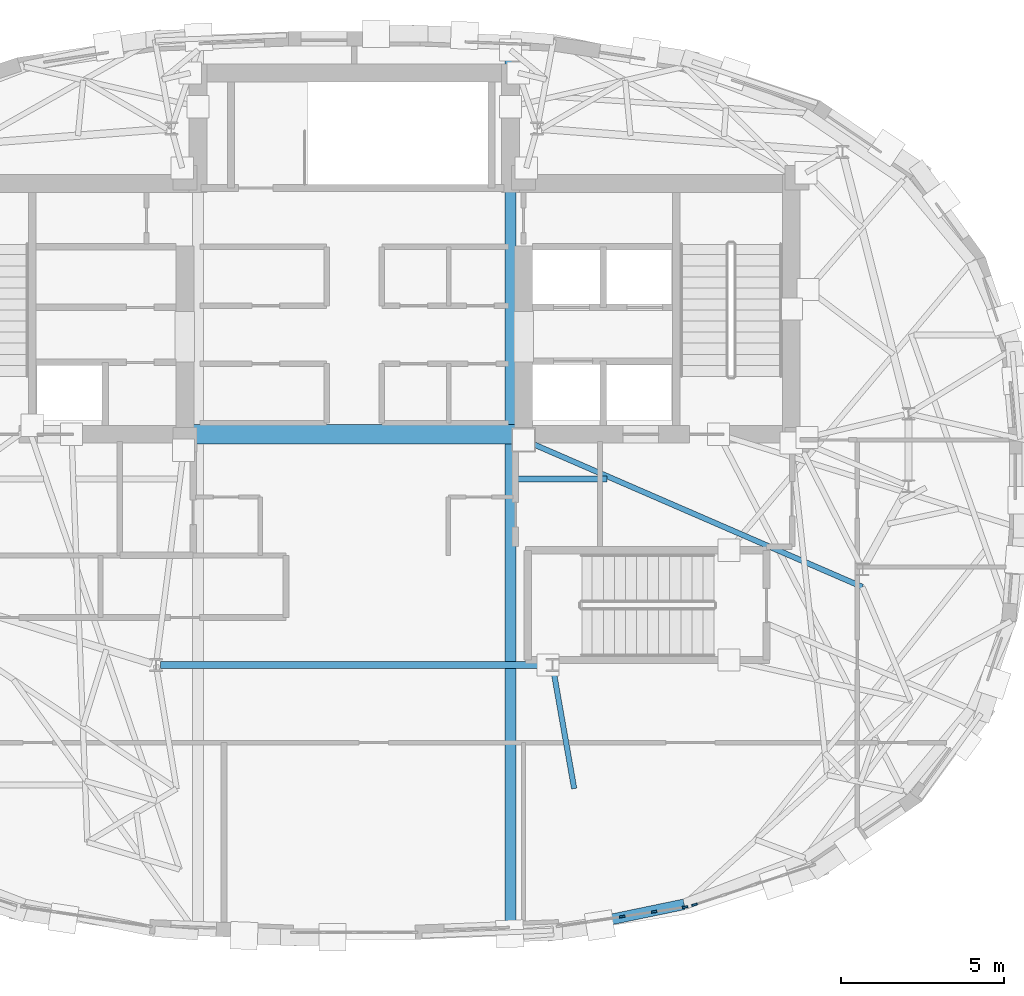
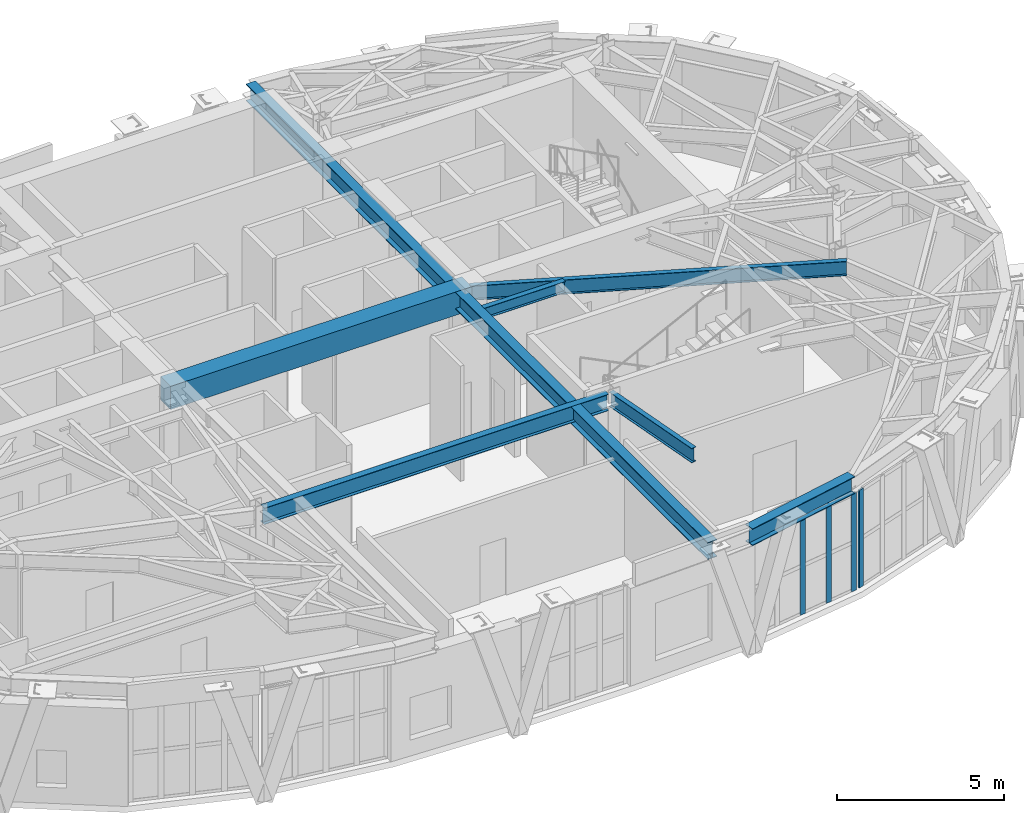
# One storey, part 4 of 16: 7 beams, 4 members, 2 elements without a shape of their own.
"""IFC4 building model written with IfcOpenShell, lengths in metres."""

from ifc_helpers import new_model, si_unit, direction, frame, origin, origin_2d, place, context, subcontext, project, spatial, rectangle, i_section, extrude, material, layer, layer_set, material_profile, profile_set, type_object, element, aggregate, save


model = new_model("IFC4")

# Units and contexts
model_context = context("Model", 3, precision=1e-05, world=origin(), true_north=direction((0.0, 1.0)))
body_context = subcontext(model_context, "Body", "Model", "MODEL_VIEW")
ifc_project = project(units=[si_unit("LENGTHUNIT", "METRE"), si_unit("AREAUNIT", "SQUARE_METRE"), si_unit("VOLUMEUNIT", "CUBIC_METRE"), si_unit("PLANEANGLEUNIT", "RADIAN"), si_unit("MASSUNIT", "GRAM", prefix="KILO")], contexts=[model_context])

# Site, building, storey
site_placement = place(None, origin())
site = spatial("IfcSite", under=ifc_project, at=site_placement, CompositionType="ELEMENT")
building_placement = place(site_placement, origin())
building = spatial("IfcBuilding", under=site, at=building_placement, Name="Keldmark Tower", CompositionType="ELEMENT")
storey_placement = place(building_placement, frame((0.0, 0.0, 264.800048828125)))
storey = spatial("IfcBuildingStorey", under=building, at=storey_placement, Name="L75", CompositionType="ELEMENT", Elevation=264.800048828125)

# Beams
ifc_material_1 = material(Name="Steel ASTM A992 Grade 50", Category="steel")
ifc_material_profile_1 = material_profile(ifc_material_1, i_section(OverallWidth=0.177978515625, OverallDepth=0.403076171875, WebThickness=0.007568359375, FlangeThickness=0.010986328125, at=origin_2d()), Name="W16X36")
ifc_profile_set_1 = profile_set([ifc_material_profile_1], Name="Steel ASTM A992 Grade 50")
beam_type_1 = type_object("IfcBeamType", Name="Composite Floor Joist W16X36", PredefinedType="JOIST", material=ifc_profile_set_1)
beam_1_placement = place(storey_placement, frame((4.95458984375, 0.199951171875, 3.99853515625), z_axis=(1.0, 0.0, 0.0), x_axis=(0.0, 1.0, 0.0)))
element("IfcBeam", 1, at=beam_1_placement, inside=storey, type_object=beam_type_1, Name="L75 Composite Floor Joist J01", PredefinedType="JOIST", context=body_context, shape_type="SweptSolid", body=[
    extrude(i_section(OverallWidth=0.177978515625, OverallDepth=0.403076171875, WebThickness=0.007568359375, FlangeThickness=0.010986328125, at=origin_2d()), origin(), (0.0, 0.0, 1.0), 2.8154296875),
])
ifc_material_2 = material(Name="Concrete C50/60", Category="concrete")
ifc_material_profile_2 = material_profile(ifc_material_2, rectangle(XDim=0.60009765625, YDim=0.85009765625, at=origin_2d()), Name="RCB600X850")
ifc_profile_set_2 = profile_set([ifc_material_profile_2], Name="Concrete C50/60")
beam_type_2 = type_object("IfcBeamType", Name="Core Coupling Beam RCB600X850", PredefinedType="USERDEFINED", material=ifc_profile_set_2)
beam_2_placement = place(storey_placement, frame((-5.199951171875, 1.574951171875, 3.77490234375), z_axis=(1.0, 0.0, 0.0), x_axis=(0.0, 1.0, 0.0)))
element("IfcBeam", 2, at=beam_2_placement, inside=storey, type_object=beam_type_2, Name="L75 Central South Core Coupling Beam", ObjectType="COUPLING BEAM", PredefinedType="USERDEFINED", context=body_context, shape_type="SweptSolid", body=[
    extrude(rectangle(XDim=0.60009765625, YDim=0.85009765625, at=origin_2d()), origin(), (0.0, 0.0, 1.0), 10.39990234375),
])

# Curtain wall, members
ifc_material_3 = material(Name="Unitized Thermally Broken Aluminum and Triple Low-E Glazing", Category="aluminium")
ifc_layer = layer(ifc_material_3, 0.219970703125)
ifc_layer_set = layer_set([ifc_layer], Name="Unitized Thermally Broken Aluminum and Triple Low-E Glazing")
curtain_wall_type = type_object("IfcCurtainWallType", Name="Public Observation Lookout Curtain Wall System", PredefinedType="NOTDEFINED", material=ifc_layer_set)
curtain_wall_1_placement = place(storey_placement, origin())
curtain_wall_1 = element("IfcCurtainWall", 3, at=curtain_wall_1_placement, inside=storey, type_object=curtain_wall_type, Name="L75 Public Observation Lookout Curtain Wall System CW-L75-26", PredefinedType="NOTDEFINED")
ifc_material_4 = material(Name="Extruded Aluminum Alloy 6063-T6", Category="aluminium")
ifc_material_profile_3 = material_profile(ifc_material_4, rectangle(XDim=0.06005859375, YDim=0.179931640625, at=origin_2d()), Name="CWM60X180")
ifc_profile_set_3 = profile_set([ifc_material_profile_3], Name="Extruded Aluminum Alloy 6063-T6")
member_type = type_object("IfcMemberType", Name="Curtain Wall Structural Mullion 60x180", PredefinedType="MULLION", material=ifc_profile_set_3)
member_1_placement = place(storey_placement, frame((10.16015625, -12.94921875, 0.0), z_axis=(0.0, 0.0, 1.0), x_axis=(0.150337469177, -0.988634738092, 0.0)))
member_1 = element("IfcMember", 4, at=member_1_placement, type_object=member_type, Name="CW mullion 1", PredefinedType="MULLION", context=body_context, shape_type="SweptSolid", body=[
    extrude(rectangle(XDim=0.06005859375, YDim=0.179931640625, at=origin_2d()), origin(), (0.0, 0.0, 1.0), 3.56591796875),
])
member_2_placement = place(storey_placement, frame((9.2099609375, -13.09375, 0.0), z_axis=(0.0, 0.0, 1.0), x_axis=(0.150337469177, -0.988634738092, 0.0)))
member_2 = element("IfcMember", 5, at=member_2_placement, type_object=member_type, Name="CW mullion 2", PredefinedType="MULLION", context=body_context, shape_type="SweptSolid", body=[
    extrude(rectangle(XDim=0.06005859375, YDim=0.179931640625, at=origin_2d()), origin(), (0.0, 0.0, 1.0), 3.56591796875),
])
member_3_placement = place(storey_placement, frame((8.23046875, -13.24267578125, 0.0), z_axis=(0.0, 0.0, 1.0), x_axis=(0.150337469177, -0.988634738092, 0.0)))
member_3 = element("IfcMember", 6, at=member_3_placement, type_object=member_type, Name="CW mullion 3", PredefinedType="MULLION", context=body_context, shape_type="SweptSolid", body=[
    extrude(rectangle(XDim=0.06005859375, YDim=0.179931640625, at=origin_2d()), origin(), (0.0, 0.0, 1.0), 3.56591796875),
])
aggregate(curtain_wall_1, [member_1, member_2, member_3])

# Curtain wall, member
curtain_wall_2_placement = place(storey_placement, origin())
curtain_wall_2 = element("IfcCurtainWall", 7, at=curtain_wall_2_placement, inside=storey, type_object=curtain_wall_type, Name="L75 Public Observation Lookout Curtain Wall System CW-L75-27", PredefinedType="NOTDEFINED")
member_4_placement = place(storey_placement, frame((10.45263671875, -12.87890625, 0.0), z_axis=(0.0, 0.0, 1.0), x_axis=(0.316776009076, -0.948500374314, 0.0)))
member_4 = element("IfcMember", 8, at=member_4_placement, type_object=member_type, Name="CW mullion 5", PredefinedType="MULLION", context=body_context, shape_type="SweptSolid", body=[
    extrude(rectangle(XDim=0.06005859375, YDim=0.179931640625, at=origin_2d()), origin(), (0.0, 0.0, 1.0), 3.56591796875),
])
aggregate(curtain_wall_2, [member_4])

# Beams
ifc_material_5 = material(Name="Steel ASTM A992 Grade 50", Category="steel")
ifc_material_profile_4 = material_profile(ifc_material_5, i_section(OverallWidth=0.22802734375, OverallDepth=0.60302734375, WebThickness=0.010498046875, FlangeThickness=0.014892578125, at=origin_2d()), Name="W24X68")
ifc_profile_set_4 = profile_set([ifc_material_profile_4], Name="Steel ASTM A992 Grade 50")
beam_type_3 = type_object("IfcBeamType", Name="Primary Floor Girder W24X68", PredefinedType="BEAM", material=ifc_profile_set_4)
beam_3_placement = place(storey_placement, frame((-5.949462890625, -5.512939453125, 3.8984375), z_axis=(1.0, 0.0, 0.0), x_axis=(0.0, 1.0, 0.0)))
element("IfcBeam", 9, at=beam_3_placement, inside=storey, type_object=beam_type_3, Name="L75 Floor Ring Girder FG-R09", PredefinedType="BEAM", context=body_context, shape_type="SweptSolid", body=[
    extrude(i_section(OverallWidth=0.22802734375, OverallDepth=0.60302734375, WebThickness=0.010498046875, FlangeThickness=0.014892578125, at=origin_2d()), origin(), (0.0, 0.0, 1.0), 11.89892578125),
])
ifc_material_6 = material(Name="Steel ASTM A992 Grade 50", Category="steel")
ifc_material_profile_5 = material_profile(ifc_material_6, i_section(OverallWidth=0.166015625, OverallDepth=0.529052734375, WebThickness=0.009765625, FlangeThickness=0.013671875, at=origin_2d()), Name="W21X50")
ifc_profile_set_5 = profile_set([ifc_material_profile_5], Name="Steel ASTM A992 Grade 50")
beam_type_4 = type_object("IfcBeamType", Name="Radial Tie Girder W21X50", PredefinedType="BEAM", material=ifc_profile_set_5)
beam_4_placement = place(storey_placement, frame((5.199951171875, 1.39990234375, 3.935546875), z_axis=(0.9173940836, -0.397980018815, 0.0), x_axis=(0.397980018815, 0.9173940836, 0.0)))
element("IfcBeam", 10, at=beam_4_placement, inside=storey, type_object=beam_type_4, Name="L75 Framing Pin Header PH-001", PredefinedType="BEAM", context=body_context, shape_type="SweptSolid", body=[
    extrude(i_section(OverallWidth=0.166015625, OverallDepth=0.529052734375, WebThickness=0.009765625, FlangeThickness=0.013671875, at=origin_2d()), origin(), (0.0, 0.0, 1.0), 11.34521484375),
])
beam_5_placement = place(storey_placement, frame((6.089599609375, -5.512939453125, 3.935546875), z_axis=(0.17276283037, -0.984963453354, 0.0), x_axis=(0.984963453354, 0.17276283037, 0.0)))
element("IfcBeam", 11, at=beam_5_placement, inside=storey, type_object=beam_type_4, Name="L75 Column Step Bracket CRT-E14RS", PredefinedType="BEAM", context=body_context, shape_type="SweptSolid", body=[
    extrude(i_section(OverallWidth=0.166015625, OverallDepth=0.529052734375, WebThickness=0.009765625, FlangeThickness=0.013671875, at=origin_2d()), origin(), (0.0, 0.0, 1.0), 3.85498046875),
])
ifc_material_7 = material(Name="Steel ASTM A992 Grade 50", Category="steel")
ifc_material_profile_6 = material_profile(ifc_material_7, i_section(OverallWidth=0.326904296875, OverallDepth=0.6220703125, WebThickness=0.015380859375, FlangeThickness=0.0244140625, at=origin_2d()), Name="W24X131")
ifc_profile_set_6 = profile_set([ifc_material_profile_6], Name="Steel ASTM A992 Grade 50")
beam_type_5 = type_object("IfcBeamType", Name="Spandrel Ring Beam W24X131", PredefinedType="SPANDREL", material=ifc_profile_set_6)
beam_6_placement = place(storey_placement, frame((10.135986328125, -12.864501953125, 3.888916015625), z_axis=(-0.97914815327, -0.203147468474, 0.0), x_axis=(0.203147468474, -0.97914815327, 0.0)))
element("IfcBeam", 12, at=beam_6_placement, inside=storey, type_object=beam_type_5, Name="L75 Crown Spandrel Ring Beam CRB-E13", PredefinedType="SPANDREL", context=body_context, shape_type="SweptSolid", body=[
    extrude(i_section(OverallWidth=0.326904296875, OverallDepth=0.6220703125, WebThickness=0.015380859375, FlangeThickness=0.0244140625, at=origin_2d()), origin(), (0.0, 0.0, 1.0), 4.096923828125),
])
beam_7_placement = place(storey_placement, frame((4.800048828125, -13.804931640625, 3.888916015625), z_axis=(0.0, 1.0, 0.0), x_axis=(-1.0, 0.0, 0.0)))
element("IfcBeam", 13, at=beam_7_placement, inside=storey, type_object=beam_type_5, Name="L75 Crown Spandrel Ring Beam CRB-E15", PredefinedType="SPANDREL", context=body_context, shape_type="SweptSolid", body=[
    extrude(i_section(OverallWidth=0.326904296875, OverallDepth=0.6220703125, WebThickness=0.015380859375, FlangeThickness=0.0244140625, at=origin_2d()), origin(), (0.0, 0.0, 1.0), 27.60986328125),
])

save(model, "model.ifc")
